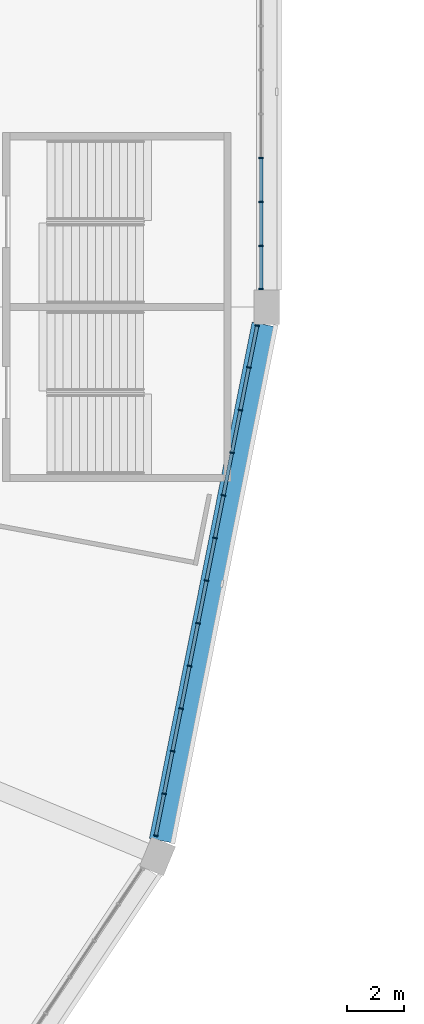
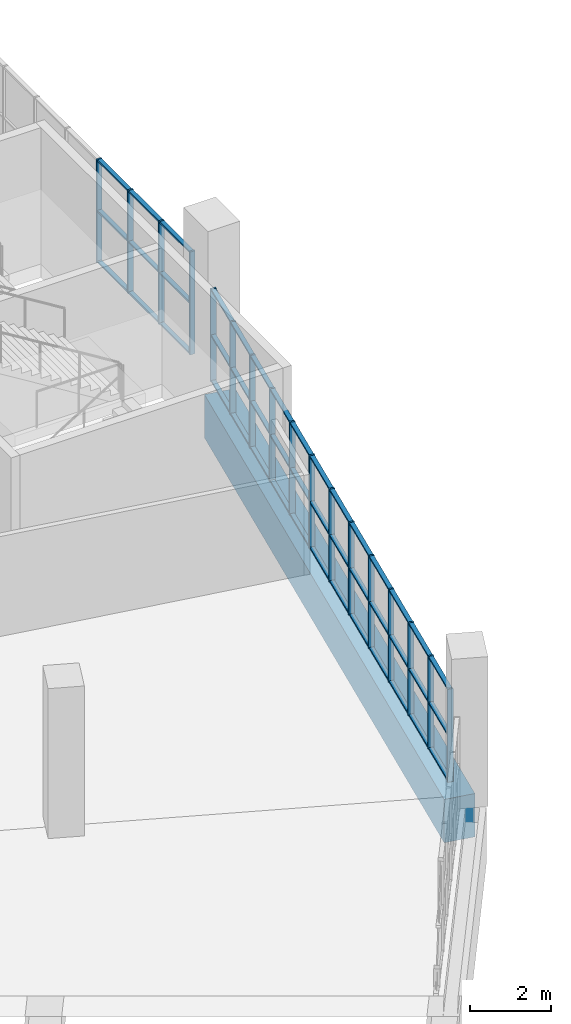
# One storey, part 26 of 199: 62 members, 1 beam, 2 elements without a shape of their own.
"""IFC4 building model written with IfcOpenShell, lengths in metres."""

from ifc_helpers import new_model, si_unit, direction, frame, origin, origin_2d, place, context, subcontext, project, spatial, rectangle, extrude, material, material_profile, profile_set, type_object, element, aggregate, save


model = new_model("IFC4")

# Units and contexts
model_context = context("Model", 3, precision=1e-05, world=origin(), true_north=direction((0.0, 1.0)))
body_context = subcontext(model_context, "Body", "Model", "MODEL_VIEW")
ifc_project = project(units=[si_unit("LENGTHUNIT", "METRE"), si_unit("AREAUNIT", "SQUARE_METRE"), si_unit("VOLUMEUNIT", "CUBIC_METRE"), si_unit("PLANEANGLEUNIT", "RADIAN"), si_unit("MASSUNIT", "GRAM", prefix="KILO")], contexts=[model_context])

# Site, building, storey
site_placement = place(None, origin())
site = spatial("IfcSite", under=ifc_project, at=site_placement, CompositionType="ELEMENT")
building_placement = place(site_placement, origin())
building = spatial("IfcBuilding", under=site, at=building_placement, Name="Ogive Plaza Stadium", CompositionType="ELEMENT")
storey_placement = place(building_placement, frame((0.0, 0.0, 4.5)))
storey = spatial("IfcBuildingStorey", under=building, at=storey_placement, Name="L01", CompositionType="ELEMENT", Elevation=4.5)

# Curtain wall, members
ifc_material_1 = material(Name="Bronze-anodised aluminium with laminated glass", Category="aluminium")
curtain_wall_type = type_object("IfcCurtainWallType", Name="Lancet curtain wall", PredefinedType="NOTDEFINED", material=ifc_material_1)
curtain_wall_1_placement = place(storey_placement, origin())
curtain_wall_1 = element("IfcCurtainWall", 1, at=curtain_wall_1_placement, inside=storey, type_object=curtain_wall_type, Name="CURTAIN WALL B07 L01", PredefinedType="NOTDEFINED")
ifc_material_2 = material(Name="Bronze-anodised aluminium", Category="aluminium")
ifc_material_profile_1 = material_profile(ifc_material_2, rectangle(XDim=0.14990234375, YDim=0.050048828125, at=origin_2d()), Name="AL 150x50")
ifc_profile_set_1 = profile_set([ifc_material_profile_1], Name="Bronze-anodised aluminium")
member_type_1 = type_object("IfcMemberType", Name="Curtain wall mullion 50x150", PredefinedType="MULLION", material=ifc_profile_set_1)
member_1_placement = place(storey_placement, frame((83.800048828125, -47.300048828125, 0.0), z_axis=(0.0, 0.0, 1.0), x_axis=(1.0, 0.0, 0.0)))
member_1 = element("IfcMember", 2, at=member_1_placement, type_object=member_type_1, Name="CW-B07-L01 mullion 7", PredefinedType="MULLION", context=body_context, shape_type="SweptSolid", body=[
    extrude(rectangle(XDim=0.14990234375, YDim=0.050048828125, at=origin_2d()), origin(), (0.0, 0.0, 1.0), 3.090087890625),
])
member_2_placement = place(storey_placement, frame((83.800048828125, -48.833251953125, 0.0), z_axis=(0.0, 0.0, 1.0), x_axis=(1.0, 0.0, 0.0)))
member_2 = element("IfcMember", 3, at=member_2_placement, type_object=member_type_1, Name="CW-B07-L01 mullion 8", PredefinedType="MULLION", context=body_context, shape_type="SweptSolid", body=[
    extrude(rectangle(XDim=0.14990234375, YDim=0.050048828125, at=origin_2d()), origin(), (0.0, 0.0, 1.0), 3.090087890625),
])
member_3_placement = place(storey_placement, frame((83.800048828125, -50.36669921875, 0.0), z_axis=(0.0, 0.0, 1.0), x_axis=(1.0, 0.0, 0.0)))
member_3 = element("IfcMember", 4, at=member_3_placement, type_object=member_type_1, Name="CW-B07-L01 mullion 9", PredefinedType="MULLION", context=body_context, shape_type="SweptSolid", body=[
    extrude(rectangle(XDim=0.14990234375, YDim=0.050048828125, at=origin_2d()), origin(), (0.0, 0.0, 1.0), 3.090087890625),
])
member_4_placement = place(storey_placement, frame((83.800048828125, -51.875, 0.0), z_axis=(0.0, 0.0, 1.0), x_axis=(1.0, 0.0, 0.0)))
member_4 = element("IfcMember", 5, at=member_4_placement, type_object=member_type_1, Name="CW-B07-L01 mullion 10", PredefinedType="MULLION", context=body_context, shape_type="SweptSolid", body=[
    extrude(rectangle(XDim=0.14990234375, YDim=0.050048828125, at=origin_2d()), origin(), (0.0, 0.0, 1.0), 3.090087890625),
])

curtain_wall_2_placement = place(storey_placement, origin())
curtain_wall_2 = element("IfcCurtainWall", 6, at=curtain_wall_2_placement, inside=storey, type_object=curtain_wall_type, Name="CURTAIN WALL B08 L01", PredefinedType="NOTDEFINED")
member_5_placement = place(storey_placement, frame((83.66796875, -53.14404296875, 0.0), z_axis=(0.0, 0.0, 1.0), x_axis=(0.980785280403, -0.195090322016, 0.0)))
member_5 = element("IfcMember", 7, at=member_5_placement, type_object=member_type_1, Name="CW-B08-L01 mullion 1", PredefinedType="MULLION", context=body_context, shape_type="SweptSolid", body=[
    extrude(rectangle(XDim=0.14990234375, YDim=0.050048828125, at=origin_2d()), origin(), (0.0, 0.0, 1.0), 2.7900390625),
])
member_6_placement = place(storey_placement, frame((83.37744140625, -54.604248046875, 0.0), z_axis=(0.0, 0.0, 1.0), x_axis=(0.980785280403, -0.195090322016, 0.0)))
member_6 = element("IfcMember", 8, at=member_6_placement, type_object=member_type_1, Name="CW-B08-L01 mullion 2", PredefinedType="MULLION", context=body_context, shape_type="SweptSolid", body=[
    extrude(rectangle(XDim=0.14990234375, YDim=0.050048828125, at=origin_2d()), origin(), (0.0, 0.0, 1.0), 2.7900390625),
])
member_7_placement = place(storey_placement, frame((83.082275390625, -56.089111328125, 0.0), z_axis=(0.0, 0.0, 1.0), x_axis=(0.980785280403, -0.195090322016, 0.0)))
member_7 = element("IfcMember", 9, at=member_7_placement, type_object=member_type_1, Name="CW-B08-L01 mullion 3", PredefinedType="MULLION", context=body_context, shape_type="SweptSolid", body=[
    extrude(rectangle(XDim=0.14990234375, YDim=0.050048828125, at=origin_2d()), origin(), (0.0, 0.0, 1.0), 2.7900390625),
])
member_8_placement = place(storey_placement, frame((82.786865234375, -57.57373046875, 0.0), z_axis=(0.0, 0.0, 1.0), x_axis=(0.980785280403, -0.195090322016, 0.0)))
member_8 = element("IfcMember", 10, at=member_8_placement, type_object=member_type_1, Name="CW-B08-L01 mullion 4", PredefinedType="MULLION", context=body_context, shape_type="SweptSolid", body=[
    extrude(rectangle(XDim=0.14990234375, YDim=0.050048828125, at=origin_2d()), origin(), (0.0, 0.0, 1.0), 2.7900390625),
])
member_9_placement = place(storey_placement, frame((82.491455078125, -59.05859375, 0.0), z_axis=(0.0, 0.0, 1.0), x_axis=(0.980785280403, -0.195090322016, 0.0)))
member_9 = element("IfcMember", 11, at=member_9_placement, type_object=member_type_1, Name="CW-B08-L01 mullion 5", PredefinedType="MULLION", context=body_context, shape_type="SweptSolid", body=[
    extrude(rectangle(XDim=0.14990234375, YDim=0.050048828125, at=origin_2d()), origin(), (0.0, 0.0, 1.0), 2.7900390625),
])
member_10_placement = place(storey_placement, frame((82.1962890625, -60.543212890625, 0.0), z_axis=(0.0, 0.0, 1.0), x_axis=(0.980785280403, -0.195090322016, 0.0)))
member_10 = element("IfcMember", 12, at=member_10_placement, type_object=member_type_1, Name="CW-B08-L01 mullion 6", PredefinedType="MULLION", context=body_context, shape_type="SweptSolid", body=[
    extrude(rectangle(XDim=0.14990234375, YDim=0.050048828125, at=origin_2d()), origin(), (0.0, 0.0, 1.0), 2.7900390625),
])
member_11_placement = place(storey_placement, frame((81.90087890625, -62.028076171875, 0.0), z_axis=(0.0, 0.0, 1.0), x_axis=(0.980785280403, -0.195090322016, 0.0)))
member_11 = element("IfcMember", 13, at=member_11_placement, type_object=member_type_1, Name="CW-B08-L01 mullion 7", PredefinedType="MULLION", context=body_context, shape_type="SweptSolid", body=[
    extrude(rectangle(XDim=0.14990234375, YDim=0.050048828125, at=origin_2d()), origin(), (0.0, 0.0, 1.0), 2.7900390625),
])
member_12_placement = place(storey_placement, frame((81.60546875, -63.512939453125, 0.0), z_axis=(0.0, 0.0, 1.0), x_axis=(0.980785280403, -0.195090322016, 0.0)))
member_12 = element("IfcMember", 14, at=member_12_placement, type_object=member_type_1, Name="CW-B08-L01 mullion 8", PredefinedType="MULLION", context=body_context, shape_type="SweptSolid", body=[
    extrude(rectangle(XDim=0.14990234375, YDim=0.050048828125, at=origin_2d()), origin(), (0.0, 0.0, 1.0), 2.7900390625),
])
member_13_placement = place(storey_placement, frame((81.31005859375, -64.99755859375, 0.0), z_axis=(0.0, 0.0, 1.0), x_axis=(0.980785280403, -0.195090322016, 0.0)))
member_13 = element("IfcMember", 15, at=member_13_placement, type_object=member_type_1, Name="CW-B08-L01 mullion 9", PredefinedType="MULLION", context=body_context, shape_type="SweptSolid", body=[
    extrude(rectangle(XDim=0.14990234375, YDim=0.050048828125, at=origin_2d()), origin(), (0.0, 0.0, 1.0), 2.7900390625),
])
member_14_placement = place(storey_placement, frame((81.014892578125, -66.482421875, 0.0), z_axis=(0.0, 0.0, 1.0), x_axis=(0.980785280403, -0.195090322016, 0.0)))
member_14 = element("IfcMember", 16, at=member_14_placement, type_object=member_type_1, Name="CW-B08-L01 mullion 10", PredefinedType="MULLION", context=body_context, shape_type="SweptSolid", body=[
    extrude(rectangle(XDim=0.14990234375, YDim=0.050048828125, at=origin_2d()), origin(), (0.0, 0.0, 1.0), 2.7900390625),
])
member_15_placement = place(storey_placement, frame((80.719482421875, -67.967041015625, 0.0), z_axis=(0.0, 0.0, 1.0), x_axis=(0.980785280403, -0.195090322016, 0.0)))
member_15 = element("IfcMember", 17, at=member_15_placement, type_object=member_type_1, Name="CW-B08-L01 mullion 11", PredefinedType="MULLION", context=body_context, shape_type="SweptSolid", body=[
    extrude(rectangle(XDim=0.14990234375, YDim=0.050048828125, at=origin_2d()), origin(), (0.0, 0.0, 1.0), 2.7900390625),
])
member_16_placement = place(storey_placement, frame((80.424072265625, -69.451904296875, 0.0), z_axis=(0.0, 0.0, 1.0), x_axis=(0.980785280403, -0.195090322016, 0.0)))
member_16 = element("IfcMember", 18, at=member_16_placement, type_object=member_type_1, Name="CW-B08-L01 mullion 12", PredefinedType="MULLION", context=body_context, shape_type="SweptSolid", body=[
    extrude(rectangle(XDim=0.14990234375, YDim=0.050048828125, at=origin_2d()), origin(), (0.0, 0.0, 1.0), 2.7900390625),
])
member_17_placement = place(storey_placement, frame((80.1337890625, -70.912109375, 0.0), z_axis=(0.0, 0.0, 1.0), x_axis=(0.980785280403, -0.195090322016, 0.0)))
member_17 = element("IfcMember", 19, at=member_17_placement, type_object=member_type_1, Name="CW-B08-L01 mullion 13", PredefinedType="MULLION", context=body_context, shape_type="SweptSolid", body=[
    extrude(rectangle(XDim=0.14990234375, YDim=0.050048828125, at=origin_2d()), origin(), (0.0, 0.0, 1.0), 2.7900390625),
])

# Member
ifc_material_3 = material(Name="Bronze-anodised aluminium", Category="aluminium")
ifc_material_profile_2 = material_profile(ifc_material_3, rectangle(XDim=0.1201171875, YDim=0.050048828125, at=origin_2d()), Name="AL 120x50")
ifc_profile_set_2 = profile_set([ifc_material_profile_2], Name="Bronze-anodised aluminium")
member_type_2 = type_object("IfcMemberType", Name="Curtain wall transom 50x120", PredefinedType="USERDEFINED", material=ifc_profile_set_2)
member_18_placement = place(storey_placement, frame((83.800048828125, -47.324951171875, 0.02490234375), z_axis=(0.0, -1.0, 0.0), x_axis=(1.0, 0.0, 0.0)))
member_18 = element("IfcMember", 20, at=member_18_placement, type_object=member_type_2, Name="CW-B07-L01 transom 7.1", ObjectType="TRANSOM", PredefinedType="USERDEFINED", context=body_context, shape_type="SweptSolid", body=[
    extrude(rectangle(XDim=0.1201171875, YDim=0.050048828125, at=origin_2d()), origin(), (0.0, 0.0, 1.0), 1.4833984375),
])

member_19_placement = place(storey_placement, frame((83.800048828125, -47.324951171875, 1.544921875), z_axis=(0.0, -1.0, 0.0), x_axis=(1.0, 0.0, 0.0)))
member_19 = element("IfcMember", 21, at=member_19_placement, type_object=member_type_2, Name="CW-B07-L01 transom 7.2", ObjectType="TRANSOM", PredefinedType="USERDEFINED", context=body_context, shape_type="SweptSolid", body=[
    extrude(rectangle(XDim=0.1201171875, YDim=0.050048828125, at=origin_2d()), origin(), (0.0, 0.0, 1.0), 1.4833984375),
])

member_20_placement = place(storey_placement, frame((83.800048828125, -47.324951171875, 3.06494140625), z_axis=(0.0, -1.0, 0.0), x_axis=(1.0, 0.0, 0.0)))
member_20 = element("IfcMember", 22, at=member_20_placement, type_object=member_type_2, Name="CW-B07-L01 transom 7.3", ObjectType="TRANSOM", PredefinedType="USERDEFINED", context=body_context, shape_type="SweptSolid", body=[
    extrude(rectangle(XDim=0.1201171875, YDim=0.050048828125, at=origin_2d()), origin(), (0.0, 0.0, 1.0), 1.4833984375),
])

member_21_placement = place(storey_placement, frame((83.800048828125, -48.8583984375, 0.02490234375), z_axis=(0.0, -1.0, 0.0), x_axis=(1.0, 0.0, 0.0)))
member_21 = element("IfcMember", 23, at=member_21_placement, type_object=member_type_2, Name="CW-B07-L01 transom 8.1", ObjectType="TRANSOM", PredefinedType="USERDEFINED", context=body_context, shape_type="SweptSolid", body=[
    extrude(rectangle(XDim=0.1201171875, YDim=0.050048828125, at=origin_2d()), origin(), (0.0, 0.0, 1.0), 1.483154296875),
])

member_22_placement = place(storey_placement, frame((83.800048828125, -48.8583984375, 1.544921875), z_axis=(0.0, -1.0, 0.0), x_axis=(1.0, 0.0, 0.0)))
member_22 = element("IfcMember", 24, at=member_22_placement, type_object=member_type_2, Name="CW-B07-L01 transom 8.2", ObjectType="TRANSOM", PredefinedType="USERDEFINED", context=body_context, shape_type="SweptSolid", body=[
    extrude(rectangle(XDim=0.1201171875, YDim=0.050048828125, at=origin_2d()), origin(), (0.0, 0.0, 1.0), 1.483154296875),
])

member_23_placement = place(storey_placement, frame((83.800048828125, -48.8583984375, 3.06494140625), z_axis=(0.0, -1.0, 0.0), x_axis=(1.0, 0.0, 0.0)))
member_23 = element("IfcMember", 25, at=member_23_placement, type_object=member_type_2, Name="CW-B07-L01 transom 8.3", ObjectType="TRANSOM", PredefinedType="USERDEFINED", context=body_context, shape_type="SweptSolid", body=[
    extrude(rectangle(XDim=0.1201171875, YDim=0.050048828125, at=origin_2d()), origin(), (0.0, 0.0, 1.0), 1.483154296875),
])

member_24_placement = place(storey_placement, frame((83.800048828125, -50.3916015625, 0.02490234375), z_axis=(0.0, -1.0, 0.0), x_axis=(1.0, 0.0, 0.0)))
member_24 = element("IfcMember", 26, at=member_24_placement, type_object=member_type_2, Name="CW-B07-L01 transom 9.1", ObjectType="TRANSOM", PredefinedType="USERDEFINED", context=body_context, shape_type="SweptSolid", body=[
    extrude(rectangle(XDim=0.1201171875, YDim=0.050048828125, at=origin_2d()), origin(), (0.0, 0.0, 1.0), 1.45849609375),
])

member_25_placement = place(storey_placement, frame((83.800048828125, -50.3916015625, 1.544921875), z_axis=(0.0, -1.0, 0.0), x_axis=(1.0, 0.0, 0.0)))
member_25 = element("IfcMember", 27, at=member_25_placement, type_object=member_type_2, Name="CW-B07-L01 transom 9.2", ObjectType="TRANSOM", PredefinedType="USERDEFINED", context=body_context, shape_type="SweptSolid", body=[
    extrude(rectangle(XDim=0.1201171875, YDim=0.050048828125, at=origin_2d()), origin(), (0.0, 0.0, 1.0), 1.45849609375),
])

member_26_placement = place(storey_placement, frame((83.800048828125, -50.3916015625, 3.06494140625), z_axis=(0.0, -1.0, 0.0), x_axis=(1.0, 0.0, 0.0)))
member_26 = element("IfcMember", 28, at=member_26_placement, type_object=member_type_2, Name="CW-B07-L01 transom 9.3", ObjectType="TRANSOM", PredefinedType="USERDEFINED", context=body_context, shape_type="SweptSolid", body=[
    extrude(rectangle(XDim=0.1201171875, YDim=0.050048828125, at=origin_2d()), origin(), (0.0, 0.0, 1.0), 1.45849609375),
])

aggregate(curtain_wall_1, [member_1, member_2, member_3, member_4, member_18, member_19, member_20, member_21, member_22, member_23, member_24, member_25, member_26])

member_27_placement = place(storey_placement, frame((83.6630859375, -53.16845703125, 0.02490234375), z_axis=(-0.195104618913, -0.980782436465, 0.0), x_axis=(0.980782436465, -0.195104618913, 0.0)))
member_27 = element("IfcMember", 29, at=member_27_placement, type_object=member_type_2, Name="CW-B08-L01 transom 1.1", ObjectType="TRANSOM", PredefinedType="USERDEFINED", context=body_context, shape_type="SweptSolid", body=[
    extrude(rectangle(XDim=0.1201171875, YDim=0.050048828125, at=origin_2d()), origin(), (0.0, 0.0, 1.0), 1.43896484375),
])

member_28_placement = place(storey_placement, frame((83.6630859375, -53.16845703125, 1.39501953125), z_axis=(-0.195104618913, -0.980782436465, 0.0), x_axis=(0.980782436465, -0.195104618913, 0.0)))
member_28 = element("IfcMember", 30, at=member_28_placement, type_object=member_type_2, Name="CW-B08-L01 transom 1.2", ObjectType="TRANSOM", PredefinedType="USERDEFINED", context=body_context, shape_type="SweptSolid", body=[
    extrude(rectangle(XDim=0.1201171875, YDim=0.050048828125, at=origin_2d()), origin(), (0.0, 0.0, 1.0), 1.43896484375),
])

member_29_placement = place(storey_placement, frame((83.6630859375, -53.16845703125, 2.764892578125), z_axis=(-0.195104618913, -0.980782436465, 0.0), x_axis=(0.980782436465, -0.195104618913, 0.0)))
member_29 = element("IfcMember", 31, at=member_29_placement, type_object=member_type_2, Name="CW-B08-L01 transom 1.3", ObjectType="TRANSOM", PredefinedType="USERDEFINED", context=body_context, shape_type="SweptSolid", body=[
    extrude(rectangle(XDim=0.1201171875, YDim=0.050048828125, at=origin_2d()), origin(), (0.0, 0.0, 1.0), 1.43896484375),
])

member_30_placement = place(storey_placement, frame((83.37255859375, -54.62890625, 0.02490234375), z_axis=(-0.194993290732, -0.980804576136, 0.0), x_axis=(0.980804576136, -0.194993290732, 0.0)))
member_30 = element("IfcMember", 32, at=member_30_placement, type_object=member_type_2, Name="CW-B08-L01 transom 2.1", ObjectType="TRANSOM", PredefinedType="USERDEFINED", context=body_context, shape_type="SweptSolid", body=[
    extrude(rectangle(XDim=0.1201171875, YDim=0.050048828125, at=origin_2d()), origin(), (0.0, 0.0, 1.0), 1.463623046875),
])

member_31_placement = place(storey_placement, frame((83.37255859375, -54.62890625, 1.39501953125), z_axis=(-0.194993290732, -0.980804576136, 0.0), x_axis=(0.980804576136, -0.194993290732, 0.0)))
member_31 = element("IfcMember", 33, at=member_31_placement, type_object=member_type_2, Name="CW-B08-L01 transom 2.2", ObjectType="TRANSOM", PredefinedType="USERDEFINED", context=body_context, shape_type="SweptSolid", body=[
    extrude(rectangle(XDim=0.1201171875, YDim=0.050048828125, at=origin_2d()), origin(), (0.0, 0.0, 1.0), 1.463623046875),
])

member_32_placement = place(storey_placement, frame((83.37255859375, -54.62890625, 2.764892578125), z_axis=(-0.194993290732, -0.980804576136, 0.0), x_axis=(0.980804576136, -0.194993290732, 0.0)))
member_32 = element("IfcMember", 34, at=member_32_placement, type_object=member_type_2, Name="CW-B08-L01 transom 2.3", ObjectType="TRANSOM", PredefinedType="USERDEFINED", context=body_context, shape_type="SweptSolid", body=[
    extrude(rectangle(XDim=0.1201171875, YDim=0.050048828125, at=origin_2d()), origin(), (0.0, 0.0, 1.0), 1.463623046875),
])

member_33_placement = place(storey_placement, frame((83.077392578125, -56.113525390625, 0.02490234375), z_axis=(-0.195121823859, -0.980779013771, 0.0), x_axis=(0.980779013771, -0.195121823859, 0.0)))
member_33 = element("IfcMember", 35, at=member_33_placement, type_object=member_type_2, Name="CW-B08-L01 transom 3.1", ObjectType="TRANSOM", PredefinedType="USERDEFINED", context=body_context, shape_type="SweptSolid", body=[
    extrude(rectangle(XDim=0.1201171875, YDim=0.050048828125, at=origin_2d()), origin(), (0.0, 0.0, 1.0), 1.4638671875),
])

member_34_placement = place(storey_placement, frame((83.077392578125, -56.113525390625, 1.39501953125), z_axis=(-0.195121823859, -0.980779013771, 0.0), x_axis=(0.980779013771, -0.195121823859, 0.0)))
member_34 = element("IfcMember", 36, at=member_34_placement, type_object=member_type_2, Name="CW-B08-L01 transom 3.2", ObjectType="TRANSOM", PredefinedType="USERDEFINED", context=body_context, shape_type="SweptSolid", body=[
    extrude(rectangle(XDim=0.1201171875, YDim=0.050048828125, at=origin_2d()), origin(), (0.0, 0.0, 1.0), 1.4638671875),
])

member_35_placement = place(storey_placement, frame((83.077392578125, -56.113525390625, 2.764892578125), z_axis=(-0.195121823859, -0.980779013771, 0.0), x_axis=(0.980779013771, -0.195121823859, 0.0)))
member_35 = element("IfcMember", 37, at=member_35_placement, type_object=member_type_2, Name="CW-B08-L01 transom 3.3", ObjectType="TRANSOM", PredefinedType="USERDEFINED", context=body_context, shape_type="SweptSolid", body=[
    extrude(rectangle(XDim=0.1201171875, YDim=0.050048828125, at=origin_2d()), origin(), (0.0, 0.0, 1.0), 1.4638671875),
])

member_36_placement = place(storey_placement, frame((82.781982421875, -57.598388671875, 0.02490234375), z_axis=(-0.195153744134, -0.980772662828, 0.0), x_axis=(0.980772662828, -0.195153744134, 0.0)))
member_36 = element("IfcMember", 38, at=member_36_placement, type_object=member_type_2, Name="CW-B08-L01 transom 4.1", ObjectType="TRANSOM", PredefinedType="USERDEFINED", context=body_context, shape_type="SweptSolid", body=[
    extrude(rectangle(XDim=0.1201171875, YDim=0.050048828125, at=origin_2d()), origin(), (0.0, 0.0, 1.0), 1.463623046875),
])

member_37_placement = place(storey_placement, frame((82.781982421875, -57.598388671875, 1.39501953125), z_axis=(-0.195153744134, -0.980772662828, 0.0), x_axis=(0.980772662828, -0.195153744134, 0.0)))
member_37 = element("IfcMember", 39, at=member_37_placement, type_object=member_type_2, Name="CW-B08-L01 transom 4.2", ObjectType="TRANSOM", PredefinedType="USERDEFINED", context=body_context, shape_type="SweptSolid", body=[
    extrude(rectangle(XDim=0.1201171875, YDim=0.050048828125, at=origin_2d()), origin(), (0.0, 0.0, 1.0), 1.463623046875),
])

member_38_placement = place(storey_placement, frame((82.781982421875, -57.598388671875, 2.764892578125), z_axis=(-0.195153744134, -0.980772662828, 0.0), x_axis=(0.980772662828, -0.195153744134, 0.0)))
member_38 = element("IfcMember", 40, at=member_38_placement, type_object=member_type_2, Name="CW-B08-L01 transom 4.3", ObjectType="TRANSOM", PredefinedType="USERDEFINED", context=body_context, shape_type="SweptSolid", body=[
    extrude(rectangle(XDim=0.1201171875, YDim=0.050048828125, at=origin_2d()), origin(), (0.0, 0.0, 1.0), 1.463623046875),
])

member_39_placement = place(storey_placement, frame((82.486572265625, -59.0830078125, 0.02490234375), z_axis=(-0.195121823859, -0.980779013771, 0.0), x_axis=(0.980779013771, -0.195121823859, 0.0)))
member_39 = element("IfcMember", 41, at=member_39_placement, type_object=member_type_2, Name="CW-B08-L01 transom 5.1", ObjectType="TRANSOM", PredefinedType="USERDEFINED", context=body_context, shape_type="SweptSolid", body=[
    extrude(rectangle(XDim=0.1201171875, YDim=0.050048828125, at=origin_2d()), origin(), (0.0, 0.0, 1.0), 1.4638671875),
])

member_40_placement = place(storey_placement, frame((82.486572265625, -59.0830078125, 1.39501953125), z_axis=(-0.195121823859, -0.980779013771, 0.0), x_axis=(0.980779013771, -0.195121823859, 0.0)))
member_40 = element("IfcMember", 42, at=member_40_placement, type_object=member_type_2, Name="CW-B08-L01 transom 5.2", ObjectType="TRANSOM", PredefinedType="USERDEFINED", context=body_context, shape_type="SweptSolid", body=[
    extrude(rectangle(XDim=0.1201171875, YDim=0.050048828125, at=origin_2d()), origin(), (0.0, 0.0, 1.0), 1.4638671875),
])

member_41_placement = place(storey_placement, frame((82.486572265625, -59.0830078125, 2.764892578125), z_axis=(-0.195121823859, -0.980779013771, 0.0), x_axis=(0.980779013771, -0.195121823859, 0.0)))
member_41 = element("IfcMember", 43, at=member_41_placement, type_object=member_type_2, Name="CW-B08-L01 transom 5.3", ObjectType="TRANSOM", PredefinedType="USERDEFINED", context=body_context, shape_type="SweptSolid", body=[
    extrude(rectangle(XDim=0.1201171875, YDim=0.050048828125, at=origin_2d()), origin(), (0.0, 0.0, 1.0), 1.4638671875),
])

member_42_placement = place(storey_placement, frame((82.19140625, -60.56787109375, 0.02490234375), z_axis=(-0.195121823859, -0.980779013771, 0.0), x_axis=(0.980779013771, -0.195121823859, 0.0)))
member_42 = element("IfcMember", 44, at=member_42_placement, type_object=member_type_2, Name="CW-B08-L01 transom 6.1", ObjectType="TRANSOM", PredefinedType="USERDEFINED", context=body_context, shape_type="SweptSolid", body=[
    extrude(rectangle(XDim=0.1201171875, YDim=0.050048828125, at=origin_2d()), origin(), (0.0, 0.0, 1.0), 1.4638671875),
])

member_43_placement = place(storey_placement, frame((82.19140625, -60.56787109375, 1.39501953125), z_axis=(-0.195121823859, -0.980779013771, 0.0), x_axis=(0.980779013771, -0.195121823859, 0.0)))
member_43 = element("IfcMember", 45, at=member_43_placement, type_object=member_type_2, Name="CW-B08-L01 transom 6.2", ObjectType="TRANSOM", PredefinedType="USERDEFINED", context=body_context, shape_type="SweptSolid", body=[
    extrude(rectangle(XDim=0.1201171875, YDim=0.050048828125, at=origin_2d()), origin(), (0.0, 0.0, 1.0), 1.4638671875),
])

member_44_placement = place(storey_placement, frame((82.19140625, -60.56787109375, 2.764892578125), z_axis=(-0.195121823859, -0.980779013771, 0.0), x_axis=(0.980779013771, -0.195121823859, 0.0)))
member_44 = element("IfcMember", 46, at=member_44_placement, type_object=member_type_2, Name="CW-B08-L01 transom 6.3", ObjectType="TRANSOM", PredefinedType="USERDEFINED", context=body_context, shape_type="SweptSolid", body=[
    extrude(rectangle(XDim=0.1201171875, YDim=0.050048828125, at=origin_2d()), origin(), (0.0, 0.0, 1.0), 1.4638671875),
])

member_45_placement = place(storey_placement, frame((81.89599609375, -62.052490234375, 0.02490234375), z_axis=(-0.195121823859, -0.980779013771, 0.0), x_axis=(0.980779013771, -0.195121823859, 0.0)))
member_45 = element("IfcMember", 47, at=member_45_placement, type_object=member_type_2, Name="CW-B08-L01 transom 7.1", ObjectType="TRANSOM", PredefinedType="USERDEFINED", context=body_context, shape_type="SweptSolid", body=[
    extrude(rectangle(XDim=0.1201171875, YDim=0.050048828125, at=origin_2d()), origin(), (0.0, 0.0, 1.0), 1.4638671875),
])

member_46_placement = place(storey_placement, frame((81.89599609375, -62.052490234375, 1.39501953125), z_axis=(-0.195121823859, -0.980779013771, 0.0), x_axis=(0.980779013771, -0.195121823859, 0.0)))
member_46 = element("IfcMember", 48, at=member_46_placement, type_object=member_type_2, Name="CW-B08-L01 transom 7.2", ObjectType="TRANSOM", PredefinedType="USERDEFINED", context=body_context, shape_type="SweptSolid", body=[
    extrude(rectangle(XDim=0.1201171875, YDim=0.050048828125, at=origin_2d()), origin(), (0.0, 0.0, 1.0), 1.4638671875),
])

member_47_placement = place(storey_placement, frame((81.89599609375, -62.052490234375, 2.764892578125), z_axis=(-0.195121823859, -0.980779013771, 0.0), x_axis=(0.980779013771, -0.195121823859, 0.0)))
member_47 = element("IfcMember", 49, at=member_47_placement, type_object=member_type_2, Name="CW-B08-L01 transom 7.3", ObjectType="TRANSOM", PredefinedType="USERDEFINED", context=body_context, shape_type="SweptSolid", body=[
    extrude(rectangle(XDim=0.1201171875, YDim=0.050048828125, at=origin_2d()), origin(), (0.0, 0.0, 1.0), 1.4638671875),
])

member_48_placement = place(storey_placement, frame((81.6005859375, -63.537353515625, 0.02490234375), z_axis=(-0.195121823859, -0.980779013771, 0.0), x_axis=(0.980779013771, -0.195121823859, 0.0)))
member_48 = element("IfcMember", 50, at=member_48_placement, type_object=member_type_2, Name="CW-B08-L01 transom 8.1", ObjectType="TRANSOM", PredefinedType="USERDEFINED", context=body_context, shape_type="SweptSolid", body=[
    extrude(rectangle(XDim=0.1201171875, YDim=0.050048828125, at=origin_2d()), origin(), (0.0, 0.0, 1.0), 1.4638671875),
])

member_49_placement = place(storey_placement, frame((81.6005859375, -63.537353515625, 1.39501953125), z_axis=(-0.195121823859, -0.980779013771, 0.0), x_axis=(0.980779013771, -0.195121823859, 0.0)))
member_49 = element("IfcMember", 51, at=member_49_placement, type_object=member_type_2, Name="CW-B08-L01 transom 8.2", ObjectType="TRANSOM", PredefinedType="USERDEFINED", context=body_context, shape_type="SweptSolid", body=[
    extrude(rectangle(XDim=0.1201171875, YDim=0.050048828125, at=origin_2d()), origin(), (0.0, 0.0, 1.0), 1.4638671875),
])

member_50_placement = place(storey_placement, frame((81.6005859375, -63.537353515625, 2.764892578125), z_axis=(-0.195121823859, -0.980779013771, 0.0), x_axis=(0.980779013771, -0.195121823859, 0.0)))
member_50 = element("IfcMember", 52, at=member_50_placement, type_object=member_type_2, Name="CW-B08-L01 transom 8.3", ObjectType="TRANSOM", PredefinedType="USERDEFINED", context=body_context, shape_type="SweptSolid", body=[
    extrude(rectangle(XDim=0.1201171875, YDim=0.050048828125, at=origin_2d()), origin(), (0.0, 0.0, 1.0), 1.4638671875),
])

member_51_placement = place(storey_placement, frame((81.30517578125, -65.022216796875, 0.02490234375), z_axis=(-0.194993290732, -0.980804576136, 0.0), x_axis=(0.980804576136, -0.194993290732, 0.0)))
member_51 = element("IfcMember", 53, at=member_51_placement, type_object=member_type_2, Name="CW-B08-L01 transom 9.1", ObjectType="TRANSOM", PredefinedType="USERDEFINED", context=body_context, shape_type="SweptSolid", body=[
    extrude(rectangle(XDim=0.1201171875, YDim=0.050048828125, at=origin_2d()), origin(), (0.0, 0.0, 1.0), 1.463623046875),
])

member_52_placement = place(storey_placement, frame((81.30517578125, -65.022216796875, 1.39501953125), z_axis=(-0.194993290732, -0.980804576136, 0.0), x_axis=(0.980804576136, -0.194993290732, 0.0)))
member_52 = element("IfcMember", 54, at=member_52_placement, type_object=member_type_2, Name="CW-B08-L01 transom 9.2", ObjectType="TRANSOM", PredefinedType="USERDEFINED", context=body_context, shape_type="SweptSolid", body=[
    extrude(rectangle(XDim=0.1201171875, YDim=0.050048828125, at=origin_2d()), origin(), (0.0, 0.0, 1.0), 1.463623046875),
])

member_53_placement = place(storey_placement, frame((81.30517578125, -65.022216796875, 2.764892578125), z_axis=(-0.194993290732, -0.980804576136, 0.0), x_axis=(0.980804576136, -0.194993290732, 0.0)))
member_53 = element("IfcMember", 55, at=member_53_placement, type_object=member_type_2, Name="CW-B08-L01 transom 9.3", ObjectType="TRANSOM", PredefinedType="USERDEFINED", context=body_context, shape_type="SweptSolid", body=[
    extrude(rectangle(XDim=0.1201171875, YDim=0.050048828125, at=origin_2d()), origin(), (0.0, 0.0, 1.0), 1.463623046875),
])

member_54_placement = place(storey_placement, frame((81.010009765625, -66.5068359375, 0.02490234375), z_axis=(-0.195121823859, -0.980779013771, 0.0), x_axis=(0.980779013771, -0.195121823859, 0.0)))
member_54 = element("IfcMember", 56, at=member_54_placement, type_object=member_type_2, Name="CW-B08-L01 transom 10.1", ObjectType="TRANSOM", PredefinedType="USERDEFINED", context=body_context, shape_type="SweptSolid", body=[
    extrude(rectangle(XDim=0.1201171875, YDim=0.050048828125, at=origin_2d()), origin(), (0.0, 0.0, 1.0), 1.4638671875),
])

member_55_placement = place(storey_placement, frame((81.010009765625, -66.5068359375, 1.39501953125), z_axis=(-0.195121823859, -0.980779013771, 0.0), x_axis=(0.980779013771, -0.195121823859, 0.0)))
member_55 = element("IfcMember", 57, at=member_55_placement, type_object=member_type_2, Name="CW-B08-L01 transom 10.2", ObjectType="TRANSOM", PredefinedType="USERDEFINED", context=body_context, shape_type="SweptSolid", body=[
    extrude(rectangle(XDim=0.1201171875, YDim=0.050048828125, at=origin_2d()), origin(), (0.0, 0.0, 1.0), 1.4638671875),
])

member_56_placement = place(storey_placement, frame((81.010009765625, -66.5068359375, 2.764892578125), z_axis=(-0.195121823859, -0.980779013771, 0.0), x_axis=(0.980779013771, -0.195121823859, 0.0)))
member_56 = element("IfcMember", 58, at=member_56_placement, type_object=member_type_2, Name="CW-B08-L01 transom 10.3", ObjectType="TRANSOM", PredefinedType="USERDEFINED", context=body_context, shape_type="SweptSolid", body=[
    extrude(rectangle(XDim=0.1201171875, YDim=0.050048828125, at=origin_2d()), origin(), (0.0, 0.0, 1.0), 1.4638671875),
])

member_57_placement = place(storey_placement, frame((80.714599609375, -67.99169921875, 0.02490234375), z_axis=(-0.195153744134, -0.980772662828, 0.0), x_axis=(0.980772662828, -0.195153744134, 0.0)))
member_57 = element("IfcMember", 59, at=member_57_placement, type_object=member_type_2, Name="CW-B08-L01 transom 11.1", ObjectType="TRANSOM", PredefinedType="USERDEFINED", context=body_context, shape_type="SweptSolid", body=[
    extrude(rectangle(XDim=0.1201171875, YDim=0.050048828125, at=origin_2d()), origin(), (0.0, 0.0, 1.0), 1.463623046875),
])

member_58_placement = place(storey_placement, frame((80.714599609375, -67.99169921875, 1.39501953125), z_axis=(-0.195153744134, -0.980772662828, 0.0), x_axis=(0.980772662828, -0.195153744134, 0.0)))
member_58 = element("IfcMember", 60, at=member_58_placement, type_object=member_type_2, Name="CW-B08-L01 transom 11.2", ObjectType="TRANSOM", PredefinedType="USERDEFINED", context=body_context, shape_type="SweptSolid", body=[
    extrude(rectangle(XDim=0.1201171875, YDim=0.050048828125, at=origin_2d()), origin(), (0.0, 0.0, 1.0), 1.463623046875),
])

member_59_placement = place(storey_placement, frame((80.714599609375, -67.99169921875, 2.764892578125), z_axis=(-0.195153744134, -0.980772662828, 0.0), x_axis=(0.980772662828, -0.195153744134, 0.0)))
member_59 = element("IfcMember", 61, at=member_59_placement, type_object=member_type_2, Name="CW-B08-L01 transom 11.3", ObjectType="TRANSOM", PredefinedType="USERDEFINED", context=body_context, shape_type="SweptSolid", body=[
    extrude(rectangle(XDim=0.1201171875, YDim=0.050048828125, at=origin_2d()), origin(), (0.0, 0.0, 1.0), 1.463623046875),
])

member_60_placement = place(storey_placement, frame((80.419189453125, -69.476318359375, 0.02490234375), z_axis=(-0.194941412722, -0.980814888552, 0.0), x_axis=(0.980814888552, -0.194941412722, 0.0)))
member_60 = element("IfcMember", 62, at=member_60_placement, type_object=member_type_2, Name="CW-B08-L01 transom 12.1", ObjectType="TRANSOM", PredefinedType="USERDEFINED", context=body_context, shape_type="SweptSolid", body=[
    extrude(rectangle(XDim=0.1201171875, YDim=0.050048828125, at=origin_2d()), origin(), (0.0, 0.0, 1.0), 1.43896484375),
])

member_61_placement = place(storey_placement, frame((80.419189453125, -69.476318359375, 1.39501953125), z_axis=(-0.194941412722, -0.980814888552, 0.0), x_axis=(0.980814888552, -0.194941412722, 0.0)))
member_61 = element("IfcMember", 63, at=member_61_placement, type_object=member_type_2, Name="CW-B08-L01 transom 12.2", ObjectType="TRANSOM", PredefinedType="USERDEFINED", context=body_context, shape_type="SweptSolid", body=[
    extrude(rectangle(XDim=0.1201171875, YDim=0.050048828125, at=origin_2d()), origin(), (0.0, 0.0, 1.0), 1.43896484375),
])

member_62_placement = place(storey_placement, frame((80.419189453125, -69.476318359375, 2.764892578125), z_axis=(-0.194941412722, -0.980814888552, 0.0), x_axis=(0.980814888552, -0.194941412722, 0.0)))
member_62 = element("IfcMember", 64, at=member_62_placement, type_object=member_type_2, Name="CW-B08-L01 transom 12.3", ObjectType="TRANSOM", PredefinedType="USERDEFINED", context=body_context, shape_type="SweptSolid", body=[
    extrude(rectangle(XDim=0.1201171875, YDim=0.050048828125, at=origin_2d()), origin(), (0.0, 0.0, 1.0), 1.43896484375),
])

aggregate(curtain_wall_2, [member_5, member_6, member_7, member_8, member_9, member_10, member_11, member_12, member_13, member_14, member_15, member_16, member_17, member_27, member_28, member_29, member_30, member_31, member_32, member_33, member_34, member_35, member_36, member_37, member_38, member_39, member_40, member_41, member_42, member_43, member_44, member_45, member_46, member_47, member_48, member_49, member_50, member_51, member_52, member_53, member_54, member_55, member_56, member_57, member_58, member_59, member_60, member_61, member_62])

# Beam
ifc_material_4 = material(Name="Concrete C40/50", Category="concrete")
ifc_material_profile_3 = material_profile(ifc_material_4, rectangle(XDim=0.800048828125, YDim=1.300048828125, at=origin_2d()), Name="RC 800x1300")
ifc_profile_set_3 = profile_set([ifc_material_profile_3], Name="Concrete C40/50")
beam_type = type_object("IfcBeamType", Name="RC spandrel beam 800x1300", PredefinedType="SPANDREL", material=ifc_profile_set_3)
beam_placement = place(storey_placement, frame((83.880615234375, -53.10009765625, -1.06005859375), z_axis=(-0.195084152283, -0.980786507619, 0.0), x_axis=(0.980786507619, -0.195084152283, 0.0)))
element("IfcBeam", 65, at=beam_placement, inside=storey, type_object=beam_type, Name="Ring beam F5 L01 B08", PredefinedType="SPANDREL", context=body_context, shape_type="SweptSolid", body=[
    extrude(rectangle(XDim=0.800048828125, YDim=1.300048828125, at=origin_2d()), origin(), (0.0, 0.0, 1.0), 18.33642578125),
])

save(model, "model.ifc")
